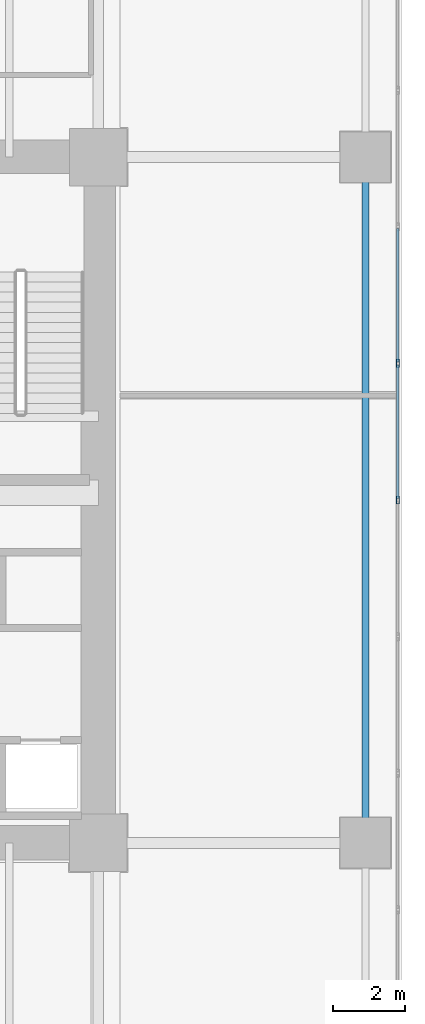
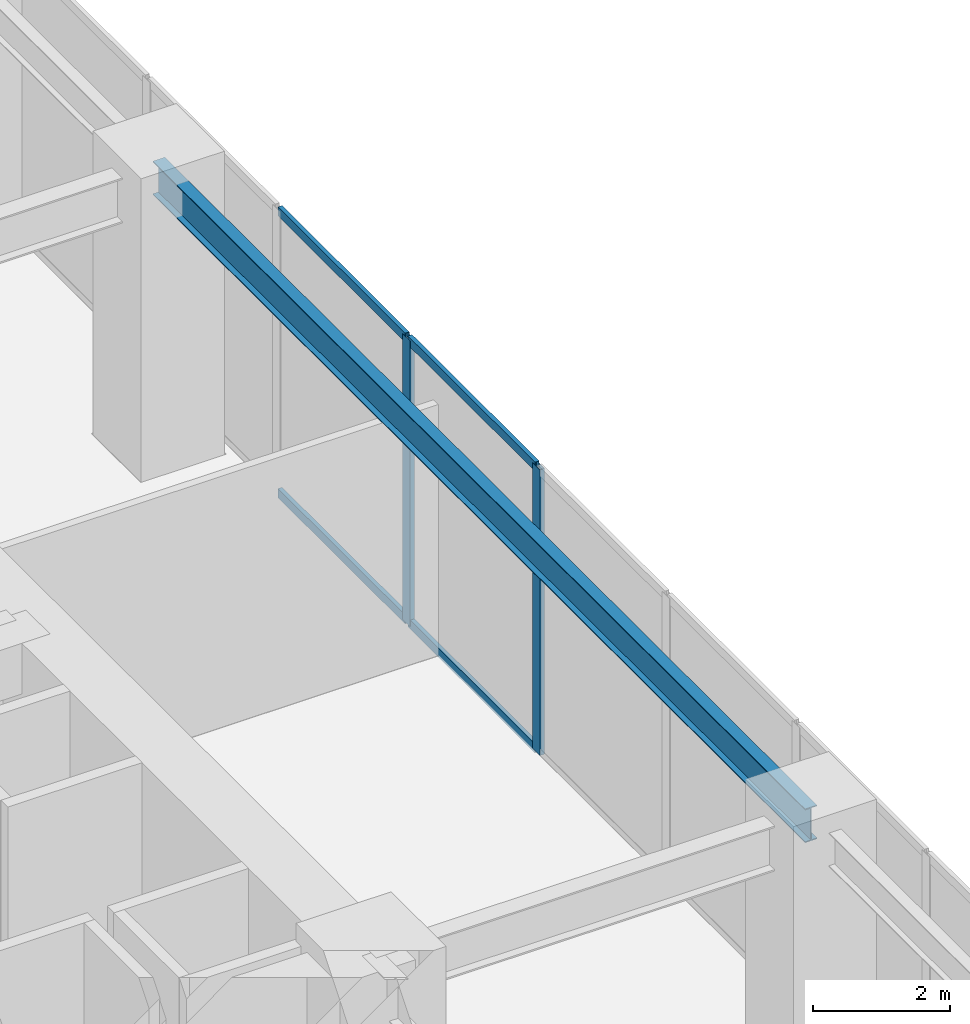
# One storey, part 21 of 35: 6 members, 1 beam, 1 element without a shape of its own.
"""IFC4 building model written with IfcOpenShell, lengths in metres."""

from ifc_helpers import new_model, si_unit, direction, frame, origin, origin_2d, place, context, subcontext, project, spatial, hollow_rectangle, i_section, extrude, source, transform, mapped, material, layer, layer_set, material_profile, profile_set, type_object, type_shapes, element, aggregate, save


model = new_model("IFC4")

# Units and contexts
model_context = context("Model", 3, precision=1e-05, world=origin(), true_north=direction((0.0, 1.0)))
body_context = subcontext(model_context, "Body", "Model", "MODEL_VIEW")
ifc_project = project(units=[si_unit("LENGTHUNIT", "METRE"), si_unit("AREAUNIT", "SQUARE_METRE"), si_unit("VOLUMEUNIT", "CUBIC_METRE"), si_unit("PLANEANGLEUNIT", "RADIAN"), si_unit("MASSUNIT", "GRAM", prefix="KILO")], contexts=[model_context])

# Site, building, storey
site_placement = place(None, origin())
site = spatial("IfcSite", under=ifc_project, at=site_placement, CompositionType="ELEMENT")
building_placement = place(site_placement, origin())
building = spatial("IfcBuilding", under=site, at=building_placement, Name="Haelvirn Gate Laboratories", CompositionType="ELEMENT")
storey_placement = place(building_placement, frame((0.0, 0.0, 19.800048828125)))
storey = spatial("IfcBuildingStorey", under=building, at=storey_placement, Name="L05", CompositionType="ELEMENT", Elevation=19.800048828125)

# Beam
ifc_material_1 = material(Name="Steel SM355", Category="steel")
ifc_material_profile_1 = material_profile(ifc_material_1, i_section(OverallWidth=0.199951171875, OverallDepth=0.60009765625, WebThickness=0.010986328125, FlangeThickness=0.01708984375, at=origin_2d()), Name="H-600x200x11x17")
ifc_profile_set_1 = profile_set([ifc_material_profile_1], Name="Steel SM355")
beam_type = type_object("IfcBeamType", Name="BM-SP-600", PredefinedType="SPANDREL", material=ifc_profile_set_1)
shared_shape_1 = source(origin(), body_context, "Body", "SweptSolid", [
    extrude(i_section(OverallWidth=0.199951171875, OverallDepth=0.60009765625, WebThickness=0.010986328125, FlangeThickness=0.01708984375, at=origin_2d()), origin(), (0.0, 0.0, 1.0), 19.0),
])
type_shapes(beam_type, [shared_shape_1])
beam_placement = place(storey_placement, frame((74.800048828125, 14.800048828125, 4.780029296875), z_axis=(0.0, 1.0, 0.0), x_axis=(-1.0, 0.0, 0.0)))
element("IfcBeam", 1, at=beam_placement, inside=storey, type_object=beam_type, Name="L05 Perimeter Spandrel X74.8 (14.8-33.8)", PredefinedType="SPANDREL", context=body_context, shape_type="MappedRepresentation", body=[
    mapped(shared_shape_1, transform((0.0, 0.0, 0.0), scale=1.0)),
])

# Curtain wall, members
ifc_material_2 = material(Name="Anodised bronze unitised aluminium & triple low-E glass", Category="aluminium")
ifc_layer = layer(ifc_material_2, 0.18798828125, Name="CW-SYS-1")
ifc_layer_set = layer_set([ifc_layer], Name="Anodised bronze unitised aluminium & triple low-E glass")
curtain_wall_type = type_object("IfcCurtainWallType", Name="CW-SYS-1", PredefinedType="NOTDEFINED", material=ifc_layer_set)
curtain_wall_placement = place(storey_placement, origin())
curtain_wall = element("IfcCurtainWall", 2, at=curtain_wall_placement, inside=storey, type_object=curtain_wall_type, Name="L05 Unitised Curtain Wall CW-L05-P0-E03", PredefinedType="NOTDEFINED")
ifc_material_3 = material(Name="Extruded aluminium 6063-T6 (anodised bronze)", Category="aluminium")
ifc_material_profile_2 = material_profile(ifc_material_3, hollow_rectangle(XDim=0.070068359375, YDim=0.159912109375, WallThickness=0.0048828125, at=origin_2d()), Name="CWT-160x70x5")
ifc_profile_set_2 = profile_set([ifc_material_profile_2], Name="Extruded aluminium 6063-T6 (anodised bronze)")
member_type_1 = type_object("IfcMemberType", Name="CWT-T160", PredefinedType="USERDEFINED", material=ifc_profile_set_2)
shared_shape_2 = source(origin(), body_context, "Body", "SweptSolid", [
    extrude(hollow_rectangle(XDim=0.070068359375, YDim=0.159912109375, WallThickness=0.0048828125, at=origin_2d()), origin(), (0.0, 0.0, 1.0), 3.703369140625),
])
member_1_placement = place(storey_placement, frame((75.699951171875, 28.123291015625, 0.034912109375), z_axis=(0.0, 1.0, 0.0), x_axis=(-1.0, 0.0, 0.0)))
member_1 = element("IfcMember", 3, at=member_1_placement, type_object=member_type_1, Name="CW1 transom 8.1", ObjectType="TRANSOM", PredefinedType="USERDEFINED", context=body_context, shape_type="MappedRepresentation", body=[
    mapped(shared_shape_2, transform((0.0, 0.0, 0.0), scale=1.0)),
])
member_2_placement = place(storey_placement, frame((75.699951171875, 28.123291015625, 5.044921875), z_axis=(0.0, 1.0, 0.0), x_axis=(-1.0, 0.0, 0.0)))
member_2 = element("IfcMember", 4, at=member_2_placement, type_object=member_type_1, Name="CW1 transom 8.2", ObjectType="TRANSOM", PredefinedType="USERDEFINED", context=body_context, shape_type="MappedRepresentation", body=[
    mapped(shared_shape_2, transform((0.0, 0.0, 0.0), scale=1.0)),
])
shared_shape_3 = source(origin(), body_context, "Body", "SweptSolid", [
    extrude(hollow_rectangle(XDim=0.070068359375, YDim=0.159912109375, WallThickness=0.0048828125, at=origin_2d()), origin(), (0.0, 0.0, 1.0), 3.703125),
])
type_shapes(member_type_1, [shared_shape_2, shared_shape_3])
member_3_placement = place(storey_placement, frame((75.699951171875, 24.340087890625, 0.034912109375), z_axis=(0.0, 1.0, 0.0), x_axis=(-1.0, 0.0, 0.0)))
member_3 = element("IfcMember", 5, at=member_3_placement, type_object=member_type_1, Name="CW1 transom 7.1", ObjectType="TRANSOM", PredefinedType="USERDEFINED", context=body_context, shape_type="MappedRepresentation", body=[
    mapped(shared_shape_3, transform((0.0, 0.0, 0.0), scale=1.0)),
])
member_4_placement = place(storey_placement, frame((75.699951171875, 24.340087890625, 5.044921875), z_axis=(0.0, 1.0, 0.0), x_axis=(-1.0, 0.0, 0.0)))
member_4 = element("IfcMember", 6, at=member_4_placement, type_object=member_type_1, Name="CW1 transom 7.2", ObjectType="TRANSOM", PredefinedType="USERDEFINED", context=body_context, shape_type="MappedRepresentation", body=[
    mapped(shared_shape_3, transform((0.0, 0.0, 0.0), scale=1.0)),
])
ifc_material_profile_3 = material_profile(ifc_material_3, hollow_rectangle(XDim=0.080078125, YDim=0.219970703125, WallThickness=0.006103515625, at=origin_2d()), Name="CWM-220x80x6")
ifc_profile_set_3 = profile_set([ifc_material_profile_3], Name="Extruded aluminium 6063-T6 (anodised bronze)")
member_type_2 = type_object("IfcMemberType", Name="CWM-T220", PredefinedType="MULLION", material=ifc_profile_set_3)
shared_shape_4 = source(origin(), body_context, "Body", "SweptSolid", [
    extrude(hollow_rectangle(XDim=0.080078125, YDim=0.219970703125, WallThickness=0.006103515625, at=origin_2d()), origin(), (0.0, 0.0, 1.0), 5.079833984375),
])
type_shapes(member_type_2, [shared_shape_4])
member_5_placement = place(storey_placement, frame((75.699951171875, 24.300048828125, 0.0), z_axis=(0.0, 0.0, 1.0), x_axis=(-1.0, 0.0, 0.0)))
member_5 = element("IfcMember", 7, at=member_5_placement, type_object=member_type_2, Name="CW1 mullion 7", PredefinedType="MULLION", context=body_context, shape_type="MappedRepresentation", body=[
    mapped(shared_shape_4, transform((0.0, 0.0, 0.0), scale=1.0)),
])
member_6_placement = place(storey_placement, frame((75.699951171875, 28.083251953125, 0.0), z_axis=(0.0, 0.0, 1.0), x_axis=(-1.0, 0.0, 0.0)))
member_6 = element("IfcMember", 8, at=member_6_placement, type_object=member_type_2, Name="CW1 mullion 8", PredefinedType="MULLION", context=body_context, shape_type="MappedRepresentation", body=[
    mapped(shared_shape_4, transform((0.0, 0.0, 0.0), scale=1.0)),
])
aggregate(curtain_wall, [member_5, member_6, member_3, member_4, member_1, member_2])

save(model, "model.ifc")
